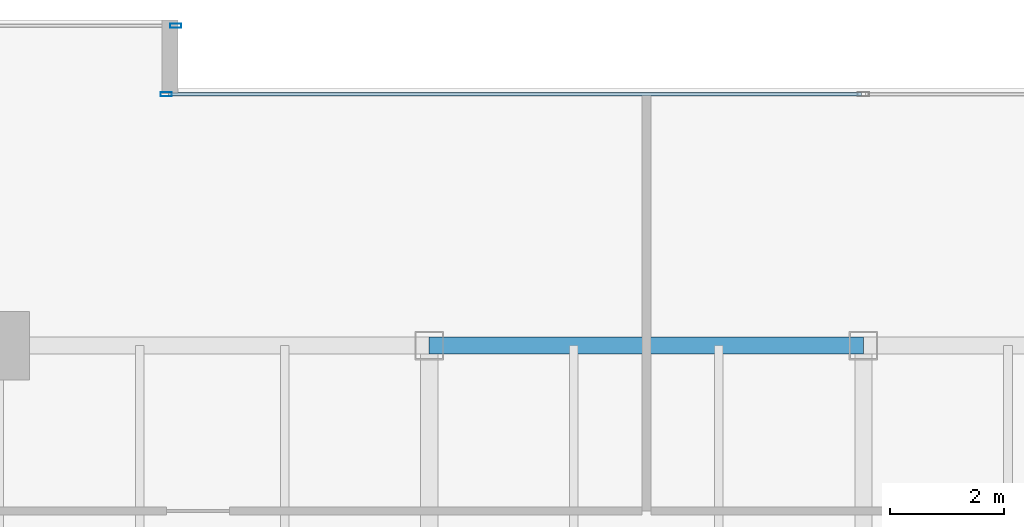
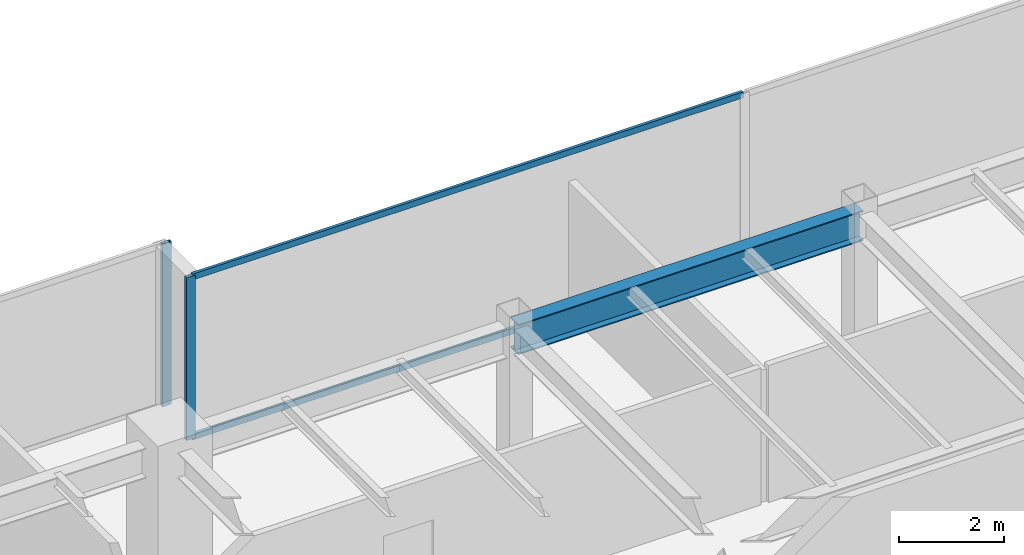
# One storey, part 16 of 31: 4 members, 1 beam, 2 elements without a shape of their own.
"""IFC4 building model written with IfcOpenShell, lengths in metres."""

from ifc_helpers import new_model, si_unit, direction, frame, origin, origin_2d, place, context, subcontext, project, spatial, hollow_rectangle, i_section, extrude, source, transform, mapped, material, layer, layer_set, material_profile, profile_set, type_object, type_shapes, element, aggregate, save


model = new_model("IFC4")

# Units and contexts
model_context = context("Model", 3, precision=1e-05, world=origin(), true_north=direction((0.0, 1.0)))
body_context = subcontext(model_context, "Body", "Model", "MODEL_VIEW")
ifc_project = project(units=[si_unit("LENGTHUNIT", "METRE"), si_unit("AREAUNIT", "SQUARE_METRE"), si_unit("VOLUMEUNIT", "CUBIC_METRE"), si_unit("PLANEANGLEUNIT", "RADIAN"), si_unit("MASSUNIT", "GRAM", prefix="KILO")], contexts=[model_context])

# Site, building, storey
site_placement = place(None, origin())
site = spatial("IfcSite", under=ifc_project, at=site_placement, CompositionType="ELEMENT")
building_placement = place(site_placement, origin())
building = spatial("IfcBuilding", under=site, at=building_placement, Name="Haelvirn Gate Laboratories", CompositionType="ELEMENT")
storey_placement = place(building_placement, frame((0.0, 0.0, 150.199951171875)))
storey = spatial("IfcBuildingStorey", under=building, at=storey_placement, Name="L36", CompositionType="ELEMENT", Elevation=150.199951171875)

# Beam
ifc_material_1 = material(Name="Steel SM355", Category="steel")
ifc_material_profile_1 = material_profile(ifc_material_1, i_section(OverallWidth=0.300048828125, OverallDepth=0.699951171875, WebThickness=0.012939453125, FlangeThickness=0.02392578125, at=origin_2d()), Name="H-700x300x13x24")
ifc_profile_set_1 = profile_set([ifc_material_profile_1], Name="Steel SM355")
beam_type = type_object("IfcBeamType", Name="BM-G-700", PredefinedType="BEAM", material=ifc_profile_set_1)
shared_shape_1 = source(origin(), body_context, "Body", "SweptSolid", [
    extrude(i_section(OverallWidth=0.300048828125, OverallDepth=0.699951171875, WebThickness=0.012939453125, FlangeThickness=0.02392578125, at=origin_2d()), origin(), (0.0, 0.0, 1.0), 7.599853515625),
])
type_shapes(beam_type, [shared_shape_1])
beam_placement = place(storey_placement, frame((29.800048828125, 41.60009765625, 3.43994140625), z_axis=(1.0, 0.0, 0.0), x_axis=(0.0, 1.0, 0.0)))
element("IfcBeam", 1, at=beam_placement, inside=storey, type_object=beam_type, Name="L36 Primary Girder Y41.6 (29.8-37.4)", PredefinedType="BEAM", context=body_context, shape_type="MappedRepresentation", body=[
    mapped(shared_shape_1, transform((0.0, 0.0, 0.0), scale=1.0)),
])

# Curtain wall, members
ifc_material_2 = material(Name="Anodised bronze unitised aluminium & triple low-E glass", Category="aluminium")
ifc_layer = layer(ifc_material_2, 0.179931640625, Name="CW-SYS-3")
ifc_layer_set = layer_set([ifc_layer], Name="Anodised bronze unitised aluminium & triple low-E glass")
curtain_wall_type = type_object("IfcCurtainWallType", Name="CW-SYS-3", PredefinedType="NOTDEFINED", material=ifc_layer_set)
curtain_wall_1_placement = place(storey_placement, origin())
curtain_wall_1 = element("IfcCurtainWall", 2, at=curtain_wall_1_placement, inside=storey, type_object=curtain_wall_type, Name="L36 Unitised Curtain Wall CW-L36-P0-E12-1", PredefinedType="NOTDEFINED")
ifc_material_3 = material(Name="Extruded aluminium 6063-T6 (anodised bronze)", Category="aluminium")
ifc_material_profile_2 = material_profile(ifc_material_3, hollow_rectangle(XDim=0.06494140625, YDim=0.139892578125, WallThickness=0.00390625, at=origin_2d()), Name="CWT-140x65x4")
ifc_profile_set_2 = profile_set([ifc_material_profile_2], Name="Extruded aluminium 6063-T6 (anodised bronze)")
member_type_1 = type_object("IfcMemberType", Name="CWT-T140", PredefinedType="USERDEFINED", material=ifc_profile_set_2)
shared_shape_2 = source(origin(), body_context, "Body", "SweptSolid", [
    extrude(hollow_rectangle(XDim=0.06494140625, YDim=0.139892578125, WallThickness=0.00390625, at=origin_2d()), origin(), (0.0, 0.0, 1.0), 12.12744140625),
])
type_shapes(member_type_1, [shared_shape_2])
member_1_placement = place(storey_placement, frame((25.235107421875, 46.0, 0.032470703125), z_axis=(1.0, 0.0, 0.0), x_axis=(0.0, 1.0, 0.0)))
member_1 = element("IfcMember", 3, at=member_1_placement, type_object=member_type_1, Name="CW3 transom 1.1", ObjectType="TRANSOM", PredefinedType="USERDEFINED", context=body_context, shape_type="MappedRepresentation", body=[
    mapped(shared_shape_2, transform((0.0, 0.0, 0.0), scale=1.0)),
])
member_2_placement = place(storey_placement, frame((25.235107421875, 46.0, 3.757568359375), z_axis=(1.0, 0.0, 0.0), x_axis=(0.0, 1.0, 0.0)))
member_2 = element("IfcMember", 4, at=member_2_placement, type_object=member_type_1, Name="CW3 transom 1.2", ObjectType="TRANSOM", PredefinedType="USERDEFINED", context=body_context, shape_type="MappedRepresentation", body=[
    mapped(shared_shape_2, transform((0.0, 0.0, 0.0), scale=1.0)),
])
ifc_material_profile_3 = material_profile(ifc_material_3, hollow_rectangle(XDim=0.074951171875, YDim=0.199951171875, WallThickness=0.0048828125, at=origin_2d()), Name="CWM-200x75x5")
ifc_profile_set_3 = profile_set([ifc_material_profile_3], Name="Extruded aluminium 6063-T6 (anodised bronze)")
member_type_2 = type_object("IfcMemberType", Name="CWM-T200", PredefinedType="MULLION", material=ifc_profile_set_3)
shared_shape_3 = source(origin(), body_context, "Body", "SweptSolid", [
    extrude(hollow_rectangle(XDim=0.074951171875, YDim=0.199951171875, WallThickness=0.0048828125, at=origin_2d()), origin(), (0.0, 0.0, 1.0), 3.7900390625),
])
type_shapes(member_type_2, [shared_shape_3])
member_3_placement = place(storey_placement, frame((25.197509765625, 46.0, 0.0), z_axis=(0.0, 0.0, 1.0), x_axis=(0.0, 1.0, 0.0)))
member_3 = element("IfcMember", 5, at=member_3_placement, type_object=member_type_2, Name="CW3 mullion 1", PredefinedType="MULLION", context=body_context, shape_type="MappedRepresentation", body=[
    mapped(shared_shape_3, transform((0.0, 0.0, 0.0), scale=1.0)),
])
aggregate(curtain_wall_1, [member_3, member_1, member_2])

# Curtain wall, member
curtain_wall_2_placement = place(storey_placement, origin())
curtain_wall_2 = element("IfcCurtainWall", 6, at=curtain_wall_2_placement, inside=storey, type_object=curtain_wall_type, Name="L36 Unitised Curtain Wall CW-L36-P0-E14-1", PredefinedType="NOTDEFINED")
member_4_placement = place(storey_placement, frame((25.362548828125, 47.199951171875, 0.0), z_axis=(0.0, 0.0, 1.0), x_axis=(0.0, 1.0, 0.0)))
member_4 = element("IfcMember", 7, at=member_4_placement, type_object=member_type_2, Name="CW3 mullion 3", PredefinedType="MULLION", context=body_context, shape_type="MappedRepresentation", body=[
    mapped(shared_shape_3, transform((0.0, 0.0, 0.0), scale=1.0)),
])
aggregate(curtain_wall_2, [member_4])

save(model, "model.ifc")
